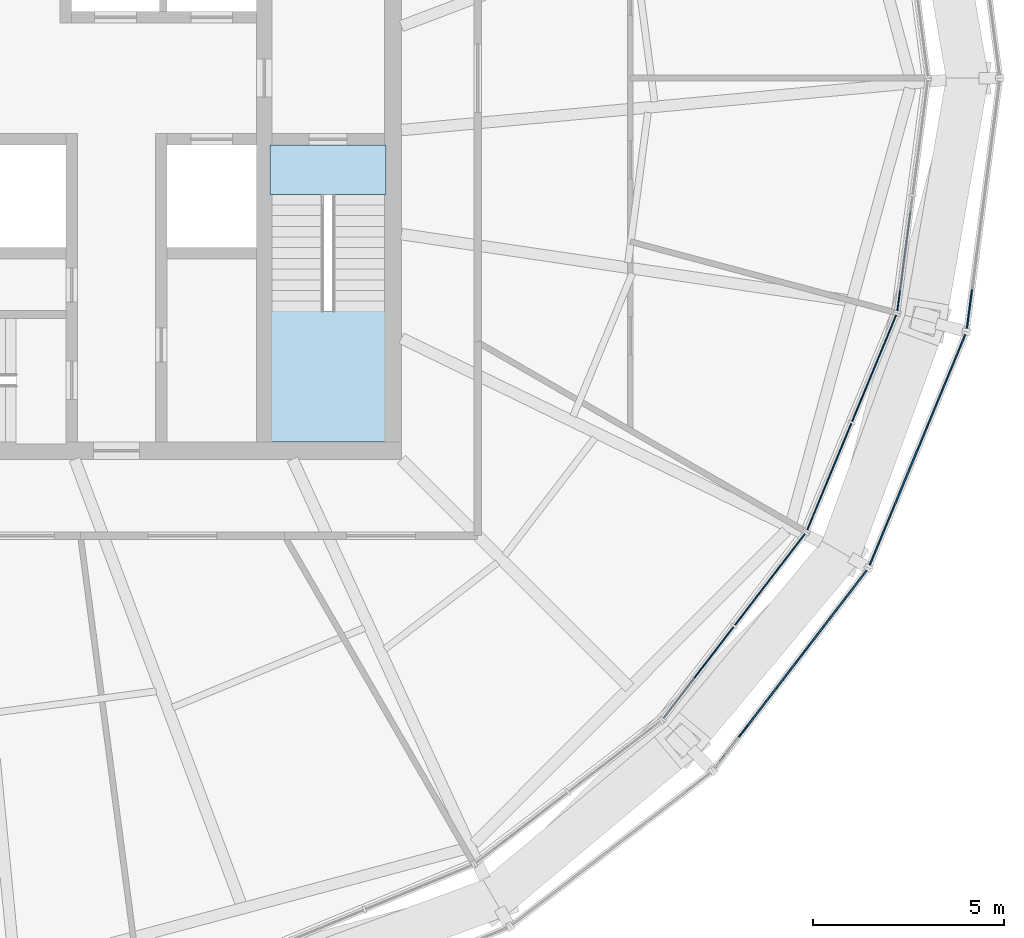
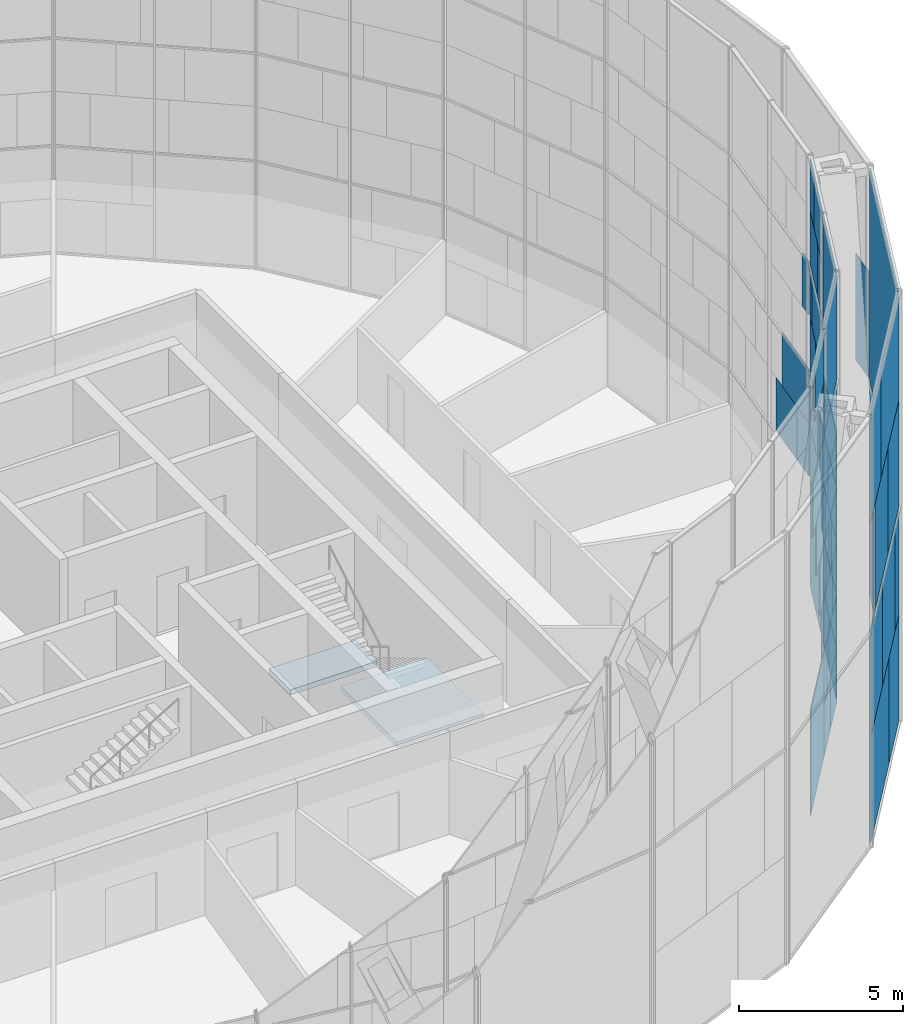
# One storey, part 18 of 28: 59 plates, 2 slabs, 7 elements without a shape of their own.
"""IFC4 building model written with IfcOpenShell, lengths in metres."""

from ifc_helpers import new_model, si_unit, direction, frame, origin, origin_2d, place, context, subcontext, project, spatial, polyline, rectangle, outline, extrude, material, layer, layer_set, type_object, element, aggregate, save


model = new_model("IFC4")

# Units and contexts
model_context = context("Model", 3, precision=1e-05, world=origin(), true_north=direction((0.0, 1.0)))
body_context = subcontext(model_context, "Body", "Model", "MODEL_VIEW")
ifc_project = project(units=[si_unit("LENGTHUNIT", "METRE"), si_unit("AREAUNIT", "SQUARE_METRE"), si_unit("VOLUMEUNIT", "CUBIC_METRE"), si_unit("PLANEANGLEUNIT", "RADIAN"), si_unit("MASSUNIT", "GRAM", prefix="KILO")], contexts=[model_context])

# Site, building, storey
site_placement = place(None, origin())
site = spatial("IfcSite", under=ifc_project, at=site_placement, CompositionType="ELEMENT")
building_placement = place(site_placement, origin())
building = spatial("IfcBuilding", under=site, at=building_placement, Name="Golbaran Civic Tower", CompositionType="ELEMENT")
storey_placement = place(building_placement, frame((0.0, 0.0, 183.0)))
storey = spatial("IfcBuildingStorey", under=building, at=storey_placement, Name="L44", CompositionType="ELEMENT", Elevation=183.0)

# Curtain wall, plates
ifc_material_1 = material(Name="Aluminium and glass", Category="aluminium")
curtain_wall_type_1 = type_object("IfcCurtainWallType", Name="INNER SKIN CURTAIN WALL EXECUTIVE", PredefinedType="NOTDEFINED", material=ifc_material_1)
curtain_wall_1_placement = place(storey_placement, origin())
curtain_wall_1 = element("IfcCurtainWall", 1, at=curtain_wall_1_placement, inside=storey, type_object=curtain_wall_type_1, Name="Inner skin L44 facet 22 CW2", ObjectType="INNER SKIN", PredefinedType="USERDEFINED")
ifc_material_2 = material(Name="Clear insulating glass", Category="glass")
ifc_layer_1 = layer(ifc_material_2, 0.031982421875, Name="Clear insulating glass")
ifc_layer_set_1 = layer_set([ifc_layer_1], Name="Clear insulating glass")
plate_type_1 = type_object("IfcPlateType", Name="INNER SKIN CURTAIN WALL EXECUTIVE GLAZED PANEL", PredefinedType="CURTAIN_PANEL", material=ifc_layer_set_1)
plate_1_placement = place(storey_placement, frame((17.792724609375, -15.5927734375, 0.06005859375), z_axis=(0.0, 0.0, 1.0), x_axis=(0.608761428953, 0.793353340334, 0.0)))
plate_1 = element("IfcPlate", 2, at=plate_1_placement, type_object=plate_type_1, Name="CW2 panel 1.1", PredefinedType="CURTAIN_PANEL", context=body_context, shape_type="SweptSolid", body=[
    extrude(rectangle(XDim=3.01806640625, YDim=0.031982421875, at=origin_2d()), origin(), (0.0, 0.0, 1.0), 3.909912109375),
])
plate_2_placement = place(storey_placement, frame((18.34375, -14.874755859375, 12.030029296875), z_axis=(0.0, 0.0, 1.0), x_axis=(0.608761428953, 0.793353340334, 0.0)))
plate_2 = element("IfcPlate", 3, at=plate_2_placement, type_object=plate_type_1, Name="CW2 panel 1.4 part 2", PredefinedType="CURTAIN_PANEL", context=body_context, shape_type="SweptSolid", body=[
    extrude(rectangle(XDim=1.2080078125, YDim=0.031982421875, at=origin_2d()), origin(), (0.0, 0.0, 1.0), 1.955078125),
])
plate_3_placement = place(storey_placement, frame((18.103759765625, -15.1875, 13.98486328125), z_axis=(0.0, 0.0, 1.0), x_axis=(0.608761428953, 0.793353340334, 0.0)))
plate_3 = element("IfcPlate", 4, at=plate_3_placement, type_object=plate_type_1, Name="CW2 panel 1.4 part 4", PredefinedType="CURTAIN_PANEL", context=body_context, shape_type="SweptSolid", body=[
    extrude(rectangle(XDim=1.99609375, YDim=0.031982421875, at=origin_2d()), origin(), (0.0, 0.0, 1.0), 1.955078125),
])
plate_4_placement = place(storey_placement, frame((19.192138671875, -13.769287109375, 0.06005859375), z_axis=(0.0, 0.0, 1.0), x_axis=(0.608761428953, 0.793353340334, 0.0)))
plate_4 = element("IfcPlate", 5, at=plate_4_placement, type_object=plate_type_1, Name="CW2 panel 2.1 part 1", PredefinedType="CURTAIN_PANEL", context=body_context, shape_type="SweptSolid", body=[
    extrude(rectangle(XDim=1.458984375, YDim=0.031982421875, at=origin_2d()), origin(), (0.0, 0.0, 1.0), 1.955078125),
])
plate_5_placement = place(storey_placement, frame((18.951904296875, -14.082275390625, 2.014892578125), z_axis=(0.0, 0.0, 1.0), x_axis=(0.608761428953, 0.793353340334, 0.0)))
plate_5 = element("IfcPlate", 6, at=plate_5_placement, type_object=plate_type_1, Name="CW2 panel 2.1 part 3", PredefinedType="CURTAIN_PANEL", context=body_context, shape_type="SweptSolid", body=[
    extrude(rectangle(XDim=0.669921875, YDim=0.031982421875, at=origin_2d()), origin(), (0.0, 0.0, 1.0), 1.955078125),
])
plate_6_placement = place(storey_placement, frame((20.2626953125, -12.3740234375, 4.02978515625), z_axis=(0.0, 0.0, 1.0), x_axis=(0.608761428953, 0.793353340334, 0.0)))
plate_6 = element("IfcPlate", 7, at=plate_6_placement, type_object=plate_type_1, Name="CW2 panel 2.2 part 2", PredefinedType="CURTAIN_PANEL", context=body_context, shape_type="SweptSolid", body=[
    extrude(rectangle(XDim=1.06005859375, YDim=0.031982421875, at=origin_2d()), origin(), (0.0, 0.0, 1.0), 1.969970703125),
])
plate_7_placement = place(storey_placement, frame((20.0205078125, -12.689453125, 6.0), z_axis=(0.0, 0.0, 1.0), x_axis=(0.608761428953, 0.793353340334, 0.0)))
plate_7 = element("IfcPlate", 8, at=plate_7_placement, type_object=plate_type_1, Name="CW2 panel 2.2 part 4", PredefinedType="CURTAIN_PANEL", context=body_context, shape_type="SweptSolid", body=[
    extrude(rectangle(XDim=1.85498046875, YDim=0.031982421875, at=origin_2d()), origin(), (0.0, 0.0, 1.0), 1.969970703125),
])
plate_8_placement = place(storey_placement, frame((19.78857421875, -12.99169921875, 8.02978515625), z_axis=(0.0, 0.0, 1.0), x_axis=(0.608761428953, 0.793353340334, 0.0)))
plate_8 = element("IfcPlate", 9, at=plate_8_placement, type_object=plate_type_1, Name="CW2 panel 2.3 part 2", PredefinedType="CURTAIN_PANEL", context=body_context, shape_type="SweptSolid", body=[
    extrude(rectangle(XDim=2.6171875, YDim=0.031982421875, at=origin_2d()), origin(), (0.0, 0.0, 1.0), 1.969970703125),
])
plate_9_placement = place(storey_placement, frame((19.66650390625, -13.15087890625, 10.0), z_axis=(0.0, 0.0, 1.0), x_axis=(0.608761428953, 0.793353340334, 0.0)))
plate_9 = element("IfcPlate", 10, at=plate_9_placement, type_object=plate_type_1, Name="CW2 panel 2.3 part 3", PredefinedType="CURTAIN_PANEL", context=body_context, shape_type="SweptSolid", body=[
    extrude(rectangle(XDim=3.01806640625, YDim=0.031982421875, at=origin_2d()), origin(), (0.0, 0.0, 1.0), 1.969970703125),
])
plate_10_placement = place(storey_placement, frame((19.66650390625, -13.15087890625, 12.0302734375), z_axis=(0.0, 0.0, 1.0), x_axis=(0.608761428953, 0.793353340334, 0.0)))
plate_10 = element("IfcPlate", 11, at=plate_10_placement, type_object=plate_type_1, Name="CW2 panel 2.4", PredefinedType="CURTAIN_PANEL", context=body_context, shape_type="SweptSolid", body=[
    extrude(rectangle(XDim=3.01806640625, YDim=0.031982421875, at=origin_2d()), origin(), (0.0, 0.0, 1.0), 3.909912109375),
])

curtain_wall_2_placement = place(storey_placement, origin())
curtain_wall_2 = element("IfcCurtainWall", 12, at=curtain_wall_2_placement, inside=storey, type_object=curtain_wall_type_1, Name="Inner skin L44 facet 23 CW2", ObjectType="INNER SKIN", PredefinedType="USERDEFINED")
plate_11_placement = place(storey_placement, frame((21.5205078125, -9.736328125, 0.06005859375), z_axis=(0.0, 0.0, 1.0), x_axis=(0.382683432413, 0.923879532491, 0.0)))
plate_11 = element("IfcPlate", 13, at=plate_11_placement, type_object=plate_type_1, Name="CW2 panel 1.1 part 2", PredefinedType="CURTAIN_PANEL", context=body_context, shape_type="SweptSolid", body=[
    extrude(rectangle(XDim=1.458984375, YDim=0.031982421875, at=origin_2d()), origin(), (0.0, 0.0, 1.0), 1.955078125),
])
plate_12_placement = place(storey_placement, frame((21.671630859375, -9.371826171875, 2.014892578125), z_axis=(0.0, 0.0, 1.0), x_axis=(0.382683432413, 0.923879532491, 0.0)))
plate_12 = element("IfcPlate", 14, at=plate_12_placement, type_object=plate_type_1, Name="CW2 panel 1.1 part 4", PredefinedType="CURTAIN_PANEL", context=body_context, shape_type="SweptSolid", body=[
    extrude(rectangle(XDim=0.670166015625, YDim=0.031982421875, at=origin_2d()), origin(), (0.0, 0.0, 1.0), 1.955078125),
])
plate_13_placement = place(storey_placement, frame((20.84765625, -11.36083984375, 4.02978515625), z_axis=(0.0, 0.0, 1.0), x_axis=(0.382683432413, 0.923879532491, 0.0)))
plate_13 = element("IfcPlate", 15, at=plate_13_placement, type_object=plate_type_1, Name="CW2 panel 1.2 part 1", PredefinedType="CURTAIN_PANEL", context=body_context, shape_type="SweptSolid", body=[
    extrude(rectangle(XDim=1.06005859375, YDim=0.031982421875, at=origin_2d()), origin(), (0.0, 0.0, 1.0), 1.969970703125),
])
plate_14_placement = place(storey_placement, frame((20.999755859375, -10.99365234375, 6.0), z_axis=(0.0, 0.0, 1.0), x_axis=(0.382683432413, 0.923879532491, 0.0)))
plate_14 = element("IfcPlate", 16, at=plate_14_placement, type_object=plate_type_1, Name="CW2 panel 1.2 part 3", PredefinedType="CURTAIN_PANEL", context=body_context, shape_type="SweptSolid", body=[
    extrude(rectangle(XDim=1.85498046875, YDim=0.031982421875, at=origin_2d()), origin(), (0.0, 0.0, 1.0), 1.969970703125),
])
plate_15_placement = place(storey_placement, frame((21.1455078125, -10.6416015625, 8.02978515625), z_axis=(0.0, 0.0, 1.0), x_axis=(0.382683432413, 0.923879532491, 0.0)))
plate_15 = element("IfcPlate", 17, at=plate_15_placement, type_object=plate_type_1, Name="CW2 panel 1.3 part 1", PredefinedType="CURTAIN_PANEL", context=body_context, shape_type="SweptSolid", body=[
    extrude(rectangle(XDim=2.616943359375, YDim=0.031982421875, at=origin_2d()), origin(), (0.0, 0.0, 1.0), 1.969970703125),
])
plate_16_placement = place(storey_placement, frame((21.22216796875, -10.456298828125, 10.0), z_axis=(0.0, 0.0, 1.0), x_axis=(0.382683432413, 0.923879532491, 0.0)))
plate_16 = element("IfcPlate", 18, at=plate_16_placement, type_object=plate_type_1, Name="CW2 panel 1.3 part 3", PredefinedType="CURTAIN_PANEL", context=body_context, shape_type="SweptSolid", body=[
    extrude(rectangle(XDim=3.01806640625, YDim=0.031982421875, at=origin_2d()), origin(), (0.0, 0.0, 1.0), 1.969970703125),
])
plate_17_placement = place(storey_placement, frame((21.22216796875, -10.456298828125, 12.0302734375), z_axis=(0.0, 0.0, 1.0), x_axis=(0.382683432413, 0.923879532491, 0.0)))
plate_17 = element("IfcPlate", 19, at=plate_17_placement, type_object=plate_type_1, Name="CW2 panel 1.4", PredefinedType="CURTAIN_PANEL", context=body_context, shape_type="SweptSolid", body=[
    extrude(rectangle(XDim=3.01806640625, YDim=0.031982421875, at=origin_2d()), origin(), (0.0, 0.0, 1.0), 3.909912109375),
])
plate_18_placement = place(storey_placement, frame((22.400146484375, -7.612548828125, 0.06005859375), z_axis=(0.0, 0.0, 1.0), x_axis=(0.382683432413, 0.923879532491, 0.0)))
plate_18 = element("IfcPlate", 20, at=plate_18_placement, type_object=plate_type_1, Name="CW2 panel 2.1", PredefinedType="CURTAIN_PANEL", context=body_context, shape_type="SweptSolid", body=[
    extrude(rectangle(XDim=3.01806640625, YDim=0.031982421875, at=origin_2d()), origin(), (0.0, 0.0, 1.0), 3.909912109375),
])
plate_19_placement = place(storey_placement, frame((22.476806640625, -7.427734375, 4.02978515625), z_axis=(0.0, 0.0, 1.0), x_axis=(0.382683432413, 0.923879532491, 0.0)))
plate_19 = element("IfcPlate", 21, at=plate_19_placement, type_object=plate_type_1, Name="CW2 panel 2.2 part 2", PredefinedType="CURTAIN_PANEL", context=body_context, shape_type="SweptSolid", body=[
    extrude(rectangle(XDim=2.6181640625, YDim=0.031982421875, at=origin_2d()), origin(), (0.0, 0.0, 1.0), 1.969970703125),
])
plate_20_placement = place(storey_placement, frame((22.56884765625, -7.205078125, 6.0), z_axis=(0.0, 0.0, 1.0), x_axis=(0.382683432413, 0.923879532491, 0.0)))
plate_20 = element("IfcPlate", 22, at=plate_20_placement, type_object=plate_type_1, Name="CW2 panel 2.2 part 4", PredefinedType="CURTAIN_PANEL", context=body_context, shape_type="SweptSolid", body=[
    extrude(rectangle(XDim=2.135986328125, YDim=0.031982421875, at=origin_2d()), origin(), (0.0, 0.0, 1.0), 1.969970703125),
])
plate_21_placement = place(storey_placement, frame((22.7255859375, -6.826904296875, 8.02978515625), z_axis=(0.0, 0.0, 1.0), x_axis=(0.382683432413, 0.923879532491, 0.0)))
plate_21 = element("IfcPlate", 23, at=plate_21_placement, type_object=plate_type_1, Name="CW2 panel 2.3 part 2", PredefinedType="CURTAIN_PANEL", context=body_context, shape_type="SweptSolid", body=[
    extrude(rectangle(XDim=1.317138671875, YDim=0.031982421875, at=origin_2d()), origin(), (0.0, 0.0, 1.0), 1.969970703125),
])
plate_22_placement = place(storey_placement, frame((22.877685546875, -6.4599609375, 10.0), z_axis=(0.0, 0.0, 1.0), x_axis=(0.382683432413, 0.923879532491, 0.0)))
plate_22 = element("IfcPlate", 24, at=plate_22_placement, type_object=plate_type_1, Name="CW2 panel 2.3 part 4", PredefinedType="CURTAIN_PANEL", context=body_context, shape_type="SweptSolid", body=[
    extrude(rectangle(XDim=0.523193359375, YDim=0.031982421875, at=origin_2d()), origin(), (0.0, 0.0, 1.0), 1.969970703125),
])
plate_23_placement = place(storey_placement, frame((22.0537109375, -8.44873046875, 12.030029296875), z_axis=(0.0, 0.0, 1.0), x_axis=(0.382683432413, 0.923879532491, 0.0)))
plate_23 = element("IfcPlate", 25, at=plate_23_placement, type_object=plate_type_1, Name="CW2 panel 2.4 part 1", PredefinedType="CURTAIN_PANEL", context=body_context, shape_type="SweptSolid", body=[
    extrude(rectangle(XDim=1.2080078125, YDim=0.031982421875, at=origin_2d()), origin(), (0.0, 0.0, 1.0), 1.955078125),
])
plate_24_placement = place(storey_placement, frame((22.20458984375, -8.084716796875, 13.98486328125), z_axis=(0.0, 0.0, 1.0), x_axis=(0.382683432413, 0.923879532491, 0.0)))
plate_24 = element("IfcPlate", 26, at=plate_24_placement, type_object=plate_type_1, Name="CW2 panel 2.4 part 3", PredefinedType="CURTAIN_PANEL", context=body_context, shape_type="SweptSolid", body=[
    extrude(rectangle(XDim=1.99609375, YDim=0.031982421875, at=origin_2d()), origin(), (0.0, 0.0, 1.0), 1.955078125),
])

curtain_wall_3_placement = place(storey_placement, origin())
curtain_wall_3 = element("IfcCurtainWall", 27, at=curtain_wall_3_placement, inside=storey, type_object=curtain_wall_type_1, Name="Inner skin L44 facet 24 CW2", ObjectType="INNER SKIN", PredefinedType="USERDEFINED")
plate_25_placement = place(storey_placement, frame((23.17919921875, -4.80615234375, 4.02978515625), z_axis=(0.0, 0.0, 1.0), x_axis=(0.130526192151, 0.991444861383, 0.0)))
plate_25 = element("IfcPlate", 28, at=plate_25_placement, type_object=plate_type_1, Name="CW2 panel 1.2 part 1", PredefinedType="CURTAIN_PANEL", context=body_context, shape_type="SweptSolid", body=[
    extrude(rectangle(XDim=2.616943359375, YDim=0.031982421875, at=origin_2d()), origin(), (0.0, 0.0, 1.0), 1.969970703125),
])
plate_26_placement = place(storey_placement, frame((23.14794921875, -5.044677734375, 6.0), z_axis=(0.0, 0.0, 1.0), x_axis=(0.130526192151, 0.991444861383, 0.0)))
plate_26 = element("IfcPlate", 29, at=plate_26_placement, type_object=plate_type_1, Name="CW2 panel 1.2 part 3", PredefinedType="CURTAIN_PANEL", context=body_context, shape_type="SweptSolid", body=[
    extrude(rectangle(XDim=2.135986328125, YDim=0.031982421875, at=origin_2d()), origin(), (0.0, 0.0, 1.0), 1.969970703125),
])
plate_27_placement = place(storey_placement, frame((23.04248046875, -5.84423828125, 10.0), z_axis=(0.0, 0.0, 1.0), x_axis=(0.130526192151, 0.991444861383, 0.0)))
plate_27 = element("IfcPlate", 30, at=plate_27_placement, type_object=plate_type_1, Name="CW2 panel 1.3 part 3", PredefinedType="CURTAIN_PANEL", context=body_context, shape_type="SweptSolid", body=[
    extrude(rectangle(XDim=0.52294921875, YDim=0.031982421875, at=origin_2d()), origin(), (0.0, 0.0, 1.0), 1.969970703125),
])
aggregate(curtain_wall_3, [plate_25, plate_26, plate_27])

# Plate
ifc_material_3 = material(Name="Aluminium faced opaque infill panel", Category="aluminium")
ifc_layer_2 = layer(ifc_material_3, 0.031982421875, Name="Aluminium faced opaque infill panel")
ifc_layer_set_2 = layer_set([ifc_layer_2], Name="Aluminium faced opaque infill panel")
plate_type_2 = type_object("IfcPlateType", Name="INNER SKIN CURTAIN WALL EXECUTIVE OPAQUE INFILL PANEL", PredefinedType="CURTAIN_PANEL", material=ifc_layer_set_2)
plate_28_placement = place(storey_placement, frame((18.58935546875, -14.5546875, 4.02978515625), z_axis=(0.0, 0.0, 1.0), x_axis=(0.608761428953, 0.793353340334, 0.0)))
plate_28 = element("IfcPlate", 31, at=plate_28_placement, type_object=plate_type_2, Name="CW2 infill panel 1.2 part 2", PredefinedType="CURTAIN_PANEL", context=body_context, shape_type="SweptSolid", body=[
    extrude(rectangle(XDim=0.401123046875, YDim=0.031982421875, at=origin_2d()), origin(), (0.0, 0.0, 1.0), 1.969970703125),
])

plate_29_placement = place(storey_placement, frame((18.44287109375, -14.74560546875, 6.0), z_axis=(0.0, 0.0, 1.0), x_axis=(0.608761428953, 0.793353340334, 0.0)))
plate_29 = element("IfcPlate", 32, at=plate_29_placement, type_object=plate_type_2, Name="CW2 infill panel 1.2 part 4", PredefinedType="CURTAIN_PANEL", context=body_context, shape_type="SweptSolid", body=[
    extrude(rectangle(XDim=0.882080078125, YDim=0.031982421875, at=origin_2d()), origin(), (0.0, 0.0, 1.0), 1.969970703125),
])

plate_30_placement = place(storey_placement, frame((18.193603515625, -15.0703125, 8.02978515625), z_axis=(0.0, 0.0, 1.0), x_axis=(0.608761428953, 0.793353340334, 0.0)))
plate_30 = element("IfcPlate", 33, at=plate_30_placement, type_object=plate_type_2, Name="CW2 infill panel 1.3 part 2", PredefinedType="CURTAIN_PANEL", context=body_context, shape_type="SweptSolid", body=[
    extrude(rectangle(XDim=1.701171875, YDim=0.031982421875, at=origin_2d()), origin(), (0.0, 0.0, 1.0), 1.969970703125),
])

plate_31_placement = place(storey_placement, frame((17.951904296875, -15.38525390625, 10.0), z_axis=(0.0, 0.0, 1.0), x_axis=(0.608761428953, 0.793353340334, 0.0)))
plate_31 = element("IfcPlate", 34, at=plate_31_placement, type_object=plate_type_2, Name="CW2 infill panel 1.3 part 4", PredefinedType="CURTAIN_PANEL", context=body_context, shape_type="SweptSolid", body=[
    extrude(rectangle(XDim=2.4951171875, YDim=0.031982421875, at=origin_2d()), origin(), (0.0, 0.0, 1.0), 1.969970703125),
])

plate_32_placement = place(storey_placement, frame((20.110595703125, -12.572021484375, 0.06005859375), z_axis=(0.0, 0.0, 1.0), x_axis=(0.608761428953, 0.793353340334, 0.0)))
plate_32 = element("IfcPlate", 35, at=plate_32_placement, type_object=plate_type_2, Name="CW2 infill panel 2.1 part 2", PredefinedType="CURTAIN_PANEL", context=body_context, shape_type="SweptSolid", body=[
    extrude(rectangle(XDim=1.55908203125, YDim=0.031982421875, at=origin_2d()), origin(), (0.0, 0.0, 1.0), 1.955078125),
])

plate_33_placement = place(storey_placement, frame((19.87060546875, -12.885009765625, 2.014892578125), z_axis=(0.0, 0.0, 1.0), x_axis=(0.608761428953, 0.793353340334, 0.0)))
plate_33 = element("IfcPlate", 36, at=plate_33_placement, type_object=plate_type_2, Name="CW2 infill panel 2.1 part 4", PredefinedType="CURTAIN_PANEL", context=body_context, shape_type="SweptSolid", body=[
    extrude(rectangle(XDim=2.34814453125, YDim=0.031982421875, at=origin_2d()), origin(), (0.0, 0.0, 1.0), 1.955078125),
])

plate_34_placement = place(storey_placement, frame((19.343994140625, -13.5712890625, 4.02978515625), z_axis=(0.0, 0.0, 1.0), x_axis=(0.608761428953, 0.793353340334, 0.0)))
plate_34 = element("IfcPlate", 37, at=plate_34_placement, type_object=plate_type_2, Name="CW2 infill panel 2.2 part 1", PredefinedType="CURTAIN_PANEL", context=body_context, shape_type="SweptSolid", body=[
    extrude(rectangle(XDim=1.9580078125, YDim=0.031982421875, at=origin_2d()), origin(), (0.0, 0.0, 1.0), 1.969970703125),
])

plate_35_placement = place(storey_placement, frame((19.10205078125, -13.88671875, 6.0), z_axis=(0.0, 0.0, 1.0), x_axis=(0.608761428953, 0.793353340334, 0.0)))
plate_35 = element("IfcPlate", 38, at=plate_35_placement, type_object=plate_type_2, Name="CW2 infill panel 2.2 part 3", PredefinedType="CURTAIN_PANEL", context=body_context, shape_type="SweptSolid", body=[
    extrude(rectangle(XDim=1.1630859375, YDim=0.031982421875, at=origin_2d()), origin(), (0.0, 0.0, 1.0), 1.969970703125),
])

plate_36_placement = place(storey_placement, frame((18.8701171875, -14.18896484375, 8.02978515625), z_axis=(0.0, 0.0, 1.0), x_axis=(0.608761428953, 0.793353340334, 0.0)))
plate_36 = element("IfcPlate", 39, at=plate_36_placement, type_object=plate_type_2, Name="CW2 infill panel 2.3 part 1", PredefinedType="CURTAIN_PANEL", context=body_context, shape_type="SweptSolid", body=[
    extrude(rectangle(XDim=0.40087890625, YDim=0.031982421875, at=origin_2d()), origin(), (0.0, 0.0, 1.0), 1.969970703125),
])

aggregate(curtain_wall_1, [plate_1, plate_28, plate_29, plate_30, plate_31, plate_2, plate_3, plate_4, plate_32, plate_5, plate_33, plate_34, plate_6, plate_35, plate_7, plate_36, plate_8, plate_9, plate_10])

plate_37_placement = place(storey_placement, frame((20.943115234375, -11.13037109375, 0.06005859375), z_axis=(0.0, 0.0, 1.0), x_axis=(0.382683432413, 0.923879532491, 0.0)))
plate_37 = element("IfcPlate", 40, at=plate_37_placement, type_object=plate_type_2, Name="CW2 infill panel 1.1 part 1", PredefinedType="CURTAIN_PANEL", context=body_context, shape_type="SweptSolid", body=[
    extrude(rectangle(XDim=1.55908203125, YDim=0.031982421875, at=origin_2d()), origin(), (0.0, 0.0, 1.0), 1.955078125),
])

plate_38_placement = place(storey_placement, frame((21.093994140625, -10.765869140625, 2.014892578125), z_axis=(0.0, 0.0, 1.0), x_axis=(0.382683432413, 0.923879532491, 0.0)))
plate_38 = element("IfcPlate", 41, at=plate_38_placement, type_object=plate_type_2, Name="CW2 infill panel 1.1 part 3", PredefinedType="CURTAIN_PANEL", context=body_context, shape_type="SweptSolid", body=[
    extrude(rectangle(XDim=2.347900390625, YDim=0.031982421875, at=origin_2d()), origin(), (0.0, 0.0, 1.0), 1.955078125),
])

plate_39_placement = place(storey_placement, frame((21.425048828125, -9.966796875, 4.02978515625), z_axis=(0.0, 0.0, 1.0), x_axis=(0.382683432413, 0.923879532491, 0.0)))
plate_39 = element("IfcPlate", 42, at=plate_39_placement, type_object=plate_type_2, Name="CW2 infill panel 1.2 part 2", PredefinedType="CURTAIN_PANEL", context=body_context, shape_type="SweptSolid", body=[
    extrude(rectangle(XDim=1.9580078125, YDim=0.031982421875, at=origin_2d()), origin(), (0.0, 0.0, 1.0), 1.969970703125),
])

plate_40_placement = place(storey_placement, frame((21.5771484375, -9.599609375, 6.0), z_axis=(0.0, 0.0, 1.0), x_axis=(0.382683432413, 0.923879532491, 0.0)))
plate_40 = element("IfcPlate", 43, at=plate_40_placement, type_object=plate_type_2, Name="CW2 infill panel 1.2 part 4", PredefinedType="CURTAIN_PANEL", context=body_context, shape_type="SweptSolid", body=[
    extrude(rectangle(XDim=1.1630859375, YDim=0.031982421875, at=origin_2d()), origin(), (0.0, 0.0, 1.0), 1.969970703125),
])

plate_41_placement = place(storey_placement, frame((21.722900390625, -9.24755859375, 8.02978515625), z_axis=(0.0, 0.0, 1.0), x_axis=(0.382683432413, 0.923879532491, 0.0)))
plate_41 = element("IfcPlate", 44, at=plate_41_placement, type_object=plate_type_2, Name="CW2 infill panel 1.3 part 2", PredefinedType="CURTAIN_PANEL", context=body_context, shape_type="SweptSolid", body=[
    extrude(rectangle(XDim=0.401123046875, YDim=0.031982421875, at=origin_2d()), origin(), (0.0, 0.0, 1.0), 1.969970703125),
])

plate_42_placement = place(storey_placement, frame((21.899169921875, -8.822021484375, 4.02978515625), z_axis=(0.0, 0.0, 1.0), x_axis=(0.382683432413, 0.923879532491, 0.0)))
plate_42 = element("IfcPlate", 45, at=plate_42_placement, type_object=plate_type_2, Name="CW2 infill panel 2.2 part 1", PredefinedType="CURTAIN_PANEL", context=body_context, shape_type="SweptSolid", body=[
    extrude(rectangle(XDim=0.39990234375, YDim=0.031982421875, at=origin_2d()), origin(), (0.0, 0.0, 1.0), 1.969970703125),
])

plate_43_placement = place(storey_placement, frame((21.991455078125, -8.599365234375, 6.0), z_axis=(0.0, 0.0, 1.0), x_axis=(0.382683432413, 0.923879532491, 0.0)))
plate_43 = element("IfcPlate", 46, at=plate_43_placement, type_object=plate_type_2, Name="CW2 infill panel 2.2 part 3", PredefinedType="CURTAIN_PANEL", context=body_context, shape_type="SweptSolid", body=[
    extrude(rectangle(XDim=0.882080078125, YDim=0.031982421875, at=origin_2d()), origin(), (0.0, 0.0, 1.0), 1.969970703125),
])

plate_44_placement = place(storey_placement, frame((22.148193359375, -8.220947265625, 8.02978515625), z_axis=(0.0, 0.0, 1.0), x_axis=(0.382683432413, 0.923879532491, 0.0)))
plate_44 = element("IfcPlate", 47, at=plate_44_placement, type_object=plate_type_2, Name="CW2 infill panel 2.3 part 1", PredefinedType="CURTAIN_PANEL", context=body_context, shape_type="SweptSolid", body=[
    extrude(rectangle(XDim=1.700927734375, YDim=0.031982421875, at=origin_2d()), origin(), (0.0, 0.0, 1.0), 1.969970703125),
])

plate_45_placement = place(storey_placement, frame((22.300048828125, -7.854248046875, 10.0), z_axis=(0.0, 0.0, 1.0), x_axis=(0.382683432413, 0.923879532491, 0.0)))
plate_45 = element("IfcPlate", 48, at=plate_45_placement, type_object=plate_type_2, Name="CW2 infill panel 2.3 part 3", PredefinedType="CURTAIN_PANEL", context=body_context, shape_type="SweptSolid", body=[
    extrude(rectangle(XDim=2.4951171875, YDim=0.031982421875, at=origin_2d()), origin(), (0.0, 0.0, 1.0), 1.969970703125),
])

plate_46_placement = place(storey_placement, frame((22.63134765625, -7.0546875, 12.030029296875), z_axis=(0.0, 0.0, 1.0), x_axis=(0.382683432413, 0.923879532491, 0.0)))
plate_46 = element("IfcPlate", 49, at=plate_46_placement, type_object=plate_type_2, Name="CW2 infill panel 2.4 part 2", PredefinedType="CURTAIN_PANEL", context=body_context, shape_type="SweptSolid", body=[
    extrude(rectangle(XDim=1.81005859375, YDim=0.031982421875, at=origin_2d()), origin(), (0.0, 0.0, 1.0), 1.955078125),
])

plate_47_placement = place(storey_placement, frame((22.781982421875, -6.690673828125, 13.98486328125), z_axis=(0.0, 0.0, 1.0), x_axis=(0.382683432413, 0.923879532491, 0.0)))
plate_47 = element("IfcPlate", 50, at=plate_47_placement, type_object=plate_type_2, Name="CW2 infill panel 2.4 part 4", PredefinedType="CURTAIN_PANEL", context=body_context, shape_type="SweptSolid", body=[
    extrude(rectangle(XDim=1.02197265625, YDim=0.031982421875, at=origin_2d()), origin(), (0.0, 0.0, 1.0), 1.955078125),
])

aggregate(curtain_wall_2, [plate_37, plate_11, plate_38, plate_12, plate_13, plate_39, plate_14, plate_40, plate_15, plate_41, plate_16, plate_17, plate_18, plate_42, plate_19, plate_43, plate_20, plate_44, plate_21, plate_45, plate_22, plate_23, plate_46, plate_24, plate_47])

# Curtain wall, plates
curtain_wall_type_2 = type_object("IfcCurtainWallType", Name="OUTER SKIN TERRACOTTA SCREEN", PredefinedType="NOTDEFINED", material=ifc_material_1)
curtain_wall_4_placement = place(storey_placement, origin())
curtain_wall_4 = element("IfcCurtainWall", 51, at=curtain_wall_4_placement, inside=storey, type_object=curtain_wall_type_2, Name="Outer skin L44 facet 22 CW3", ObjectType="OUTER SKIN", PredefinedType="USERDEFINED")
ifc_material_4 = material(Name="Clear laminated glass", Category="glass")
ifc_layer_3 = layer(ifc_material_4, 0.0400390625, Name="Clear laminated glass")
ifc_layer_set_3 = layer_set([ifc_layer_3], Name="Clear laminated glass")
plate_type_3 = type_object("IfcPlateType", Name="OUTER SKIN CLEAR GLASS PANEL", PredefinedType="CURTAIN_PANEL", material=ifc_layer_set_3)
plate_48_placement = place(storey_placement, frame((19.510009765625, -16.4248046875, -0.6298828125), z_axis=(0.0, 0.0, 1.0), x_axis=(0.608761429023, 0.793353340281, 0.0)))
plate_48 = element("IfcPlate", 52, at=plate_48_placement, type_object=plate_type_3, Name="CW3 panel 1.1 part 1", PredefinedType="CURTAIN_PANEL", context=body_context, shape_type="SweptSolid", body=[
    extrude(rectangle(XDim=4.240966796875, YDim=0.0400390625, at=origin_2d()), origin(), (0.0, 0.0, 1.0), 3.93994140625),
])
plate_49_placement = place(storey_placement, frame((19.0263671875, -17.05517578125, 3.31005859375), z_axis=(0.0, 0.0, 1.0), x_axis=(0.608761429023, 0.793353340281, 0.0)))
plate_49 = element("IfcPlate", 53, at=plate_49_placement, type_object=plate_type_3, Name="CW3 panel 1.1 part 3", PredefinedType="CURTAIN_PANEL", context=body_context, shape_type="SweptSolid", body=[
    extrude(rectangle(XDim=2.652099609375, YDim=0.0400390625, at=origin_2d()), origin(), (0.0, 0.0, 1.0), 3.93994140625),
])
plate_50_placement = place(storey_placement, frame((21.90234375, -13.30712890625, 3.31005859375), z_axis=(0.0, 0.0, 1.0), x_axis=(0.608761429023, 0.793353340281, 0.0)))
plate_50 = element("IfcPlate", 54, at=plate_50_placement, type_object=plate_type_3, Name="CW3 panel 1.1 part 5", PredefinedType="CURTAIN_PANEL", context=body_context, shape_type="SweptSolid", body=[
    extrude(rectangle(XDim=0.996337890625, YDim=0.0400390625, at=origin_2d()), origin(), (0.0, 0.0, 1.0), 3.93994140625),
])
plate_51_placement = place(storey_placement, frame((21.408935546875, -13.9501953125, 7.330078125), z_axis=(0.0, 0.0, 1.0), x_axis=(0.608761429023, 0.793353340281, 0.0)))
plate_51 = element("IfcPlate", 55, at=plate_51_placement, type_object=plate_type_3, Name="CW3 panel 1.2 part 3", PredefinedType="CURTAIN_PANEL", context=body_context, shape_type="SweptSolid", body=[
    extrude(rectangle(XDim=2.6171875, YDim=0.0400390625, at=origin_2d()), origin(), (0.0, 0.0, 1.0), 3.93994140625),
])
plate_52_placement = place(storey_placement, frame((20.924560546875, -14.581298828125, 11.27001953125), z_axis=(0.0, 0.0, 1.0), x_axis=(0.608761429023, 0.793353340281, 0.0)))
plate_52 = element("IfcPlate", 56, at=plate_52_placement, type_object=plate_type_3, Name="CW3 panel 1.2 part 5", PredefinedType="CURTAIN_PANEL", context=body_context, shape_type="SweptSolid", body=[
    extrude(rectangle(XDim=4.208251953125, YDim=0.0400390625, at=origin_2d()), origin(), (0.0, 0.0, 1.0), 3.93994140625),
])

# Curtain wall, plate
curtain_wall_5_placement = place(storey_placement, origin())
curtain_wall_5 = element("IfcCurtainWall", 57, at=curtain_wall_5_placement, inside=storey, type_object=curtain_wall_type_2, Name="Outer skin L44 facet 24 CW3", ObjectType="OUTER SKIN", PredefinedType="USERDEFINED")
plate_53_placement = place(storey_placement, frame((24.899169921875, -6.060546875, 7.330078125), z_axis=(0.0, 0.0, 1.0), x_axis=(0.130526192237, 0.991444861372, 0.0)))
plate_53 = element("IfcPlate", 58, at=plate_53_placement, type_object=plate_type_3, Name="CW3 panel 1.2 part 1", PredefinedType="CURTAIN_PANEL", context=body_context, shape_type="SweptSolid", body=[
    extrude(rectangle(XDim=1.031005859375, YDim=0.0400390625, at=origin_2d()), origin(), (0.0, 0.0, 1.0), 3.93994140625),
])
aggregate(curtain_wall_5, [plate_53])

# Plate
ifc_material_5 = material(Name="Terracotta baguette screen", Category="masonry")
ifc_layer_4 = layer(ifc_material_5, 0.0400390625, Name="Terracotta baguette screen")
ifc_layer_set_4 = layer_set([ifc_layer_4], Name="Terracotta baguette screen")
plate_type_4 = type_object("IfcPlateType", Name="OUTER SKIN TERRACOTTA INFILL PANEL", PredefinedType="CURTAIN_PANEL", material=ifc_layer_set_4)
plate_54_placement = place(storey_placement, frame((21.503173828125, -13.8271484375, -0.6298828125), z_axis=(0.0, 0.0, 1.0), x_axis=(0.608761429023, 0.793353340281, 0.0)))
plate_54 = element("IfcPlate", 59, at=plate_54_placement, type_object=plate_type_4, Name="CW3 infill panel 1.1 part 2", PredefinedType="CURTAIN_PANEL", context=body_context, shape_type="SweptSolid", body=[
    extrude(rectangle(XDim=2.307373046875, YDim=0.0400390625, at=origin_2d()), origin(), (0.0, 0.0, 1.0), 3.93994140625),
])

plate_55_placement = place(storey_placement, frame((20.71630859375, -14.852783203125, 3.31005859375), z_axis=(0.0, 0.0, 1.0), x_axis=(0.608761429023, 0.793353340281, 0.0)))
plate_55 = element("IfcPlate", 60, at=plate_55_placement, type_object=plate_type_4, Name="CW3 infill panel 1.1 part 4", PredefinedType="CURTAIN_PANEL", context=body_context, shape_type="SweptSolid", body=[
    extrude(rectangle(XDim=2.89990234375, YDim=0.0400390625, at=origin_2d()), origin(), (0.0, 0.0, 1.0), 3.93994140625),
])

plate_56_placement = place(storey_placement, frame((19.7294921875, -16.138671875, 7.330078125), z_axis=(0.0, 0.0, 1.0), x_axis=(0.608761429023, 0.793353340281, 0.0)))
plate_56 = element("IfcPlate", 61, at=plate_56_placement, type_object=plate_type_4, Name="CW3 infill panel 1.2 part 2", PredefinedType="CURTAIN_PANEL", context=body_context, shape_type="SweptSolid", body=[
    extrude(rectangle(XDim=2.89990234375, YDim=0.0400390625, at=origin_2d()), origin(), (0.0, 0.0, 1.0), 3.93994140625),
])

plate_57_placement = place(storey_placement, frame((18.931396484375, -17.1787109375, 11.27001953125), z_axis=(0.0, 0.0, 1.0), x_axis=(0.608761429023, 0.793353340281, 0.0)))
plate_57 = element("IfcPlate", 62, at=plate_57_placement, type_object=plate_type_4, Name="CW3 infill panel 1.2 part 4", PredefinedType="CURTAIN_PANEL", context=body_context, shape_type="SweptSolid", body=[
    extrude(rectangle(XDim=2.340087890625, YDim=0.0400390625, at=origin_2d()), origin(), (0.0, 0.0, 1.0), 3.93994140625),
])

aggregate(curtain_wall_4, [plate_48, plate_54, plate_49, plate_55, plate_50, plate_56, plate_51, plate_57, plate_52])

# Curtain wall, plates
curtain_wall_6_placement = place(storey_placement, origin())
curtain_wall_6 = element("IfcCurtainWall", 63, at=curtain_wall_6_placement, inside=storey, type_object=curtain_wall_type_2, Name="Outer skin L44 facet 23 CW3", ObjectType="OUTER SKIN", PredefinedType="USERDEFINED")
ifc_layer_5 = layer(ifc_material_5, 0.0400390625, Name="Terracotta baguette screen")
ifc_layer_set_5 = layer_set([ifc_layer_5], Name="Terracotta baguette screen")
plate_type_5 = type_object("IfcPlateType", Name="OUTER SKIN TERRACOTTA SCREEN PANEL", PredefinedType="CURTAIN_PANEL", material=ifc_layer_set_5)
plate_58_placement = place(storey_placement, frame((23.537841796875, -9.749755859375, -0.6298828125), z_axis=(0.0, 0.0, 1.0), x_axis=(0.382683432349, 0.923879532518, 0.0)))
plate_58 = element("IfcPlate", 64, at=plate_58_placement, type_object=plate_type_5, Name="CW3 terracotta screen panel 1.1", PredefinedType="CURTAIN_PANEL", context=body_context, shape_type="SweptSolid", body=[
    extrude(rectangle(XDim=6.54833984375, YDim=0.0400390625, at=origin_2d()), origin(), (0.0, 0.0, 1.0), 7.8798828125),
])
plate_59_placement = place(storey_placement, frame((23.537841796875, -9.749755859375, 7.330078125), z_axis=(0.0, 0.0, 1.0), x_axis=(0.382683432349, 0.923879532518, 0.0)))
plate_59 = element("IfcPlate", 65, at=plate_59_placement, type_object=plate_type_5, Name="CW3 terracotta screen panel 1.2", PredefinedType="CURTAIN_PANEL", context=body_context, shape_type="SweptSolid", body=[
    extrude(rectangle(XDim=6.54833984375, YDim=0.0400390625, at=origin_2d()), origin(), (0.0, 0.0, 1.0), 7.8798828125),
])
aggregate(curtain_wall_6, [plate_58, plate_59])

# Stair, slab
ifc_material_6 = material(Name="Concrete C35/45", Category="concrete")
stair_type = type_object("IfcStairType", Name="EXIT STAIR 2950 x 7800, 4000 RISE", PredefinedType="HALF_TURN_STAIR", material=ifc_material_6)
stair_placement = place(storey_placement, origin())
stair = element("IfcStair", 66, at=stair_placement, inside=storey, type_object=stair_type, Name="Stair S2 L44", PredefinedType="HALF_TURN_STAIR")
ifc_layer_6 = layer(ifc_material_6, 0.199951171875, Name="Concrete C35/45")
ifc_layer_set_6 = layer_set([ifc_layer_6], Name="Concrete C35/45")
slab_type = type_object("IfcSlabType", Name="STAIR LANDING 200", PredefinedType="LANDING", material=ifc_layer_set_6)
slab_1_placement = place(storey_placement, frame((0.0, 0.0, 1.800048828125)))
slab_1 = element("IfcSlab", 67, at=slab_1_placement, type_object=slab_type, Name="ST29578-40 landing 1", PredefinedType="LANDING", context=body_context, shape_type="SweptSolid", body=[
    extrude(outline(polyline([(9.60009765625, -6.125), (9.60009765625, -9.550048828125), (6.550048828125, -9.550048828125), (6.550048828125, -6.125), (9.60009765625, -6.125)])), origin(), (0.0, 0.0, 1.0), 0.199951171875),
])
aggregate(stair, [slab_1])

# Slab
slab_2_placement = place(storey_placement, frame((0.0, 0.0, -0.199951171875)))
element("IfcSlab", 68, at=slab_2_placement, inside=storey, type_object=slab_type, Name="Stair S2 floor landing L44", PredefinedType="LANDING", context=body_context, shape_type="SweptSolid", body=[
    extrude(outline(polyline([(9.60009765625, -1.75), (9.60009765625, -3.054931640625), (6.550048828125, -3.054931640625), (6.550048828125, -1.75), (9.60009765625, -1.75)])), origin(), (0.0, 0.0, 1.0), 0.199951171875),
])

save(model, "model.ifc")
